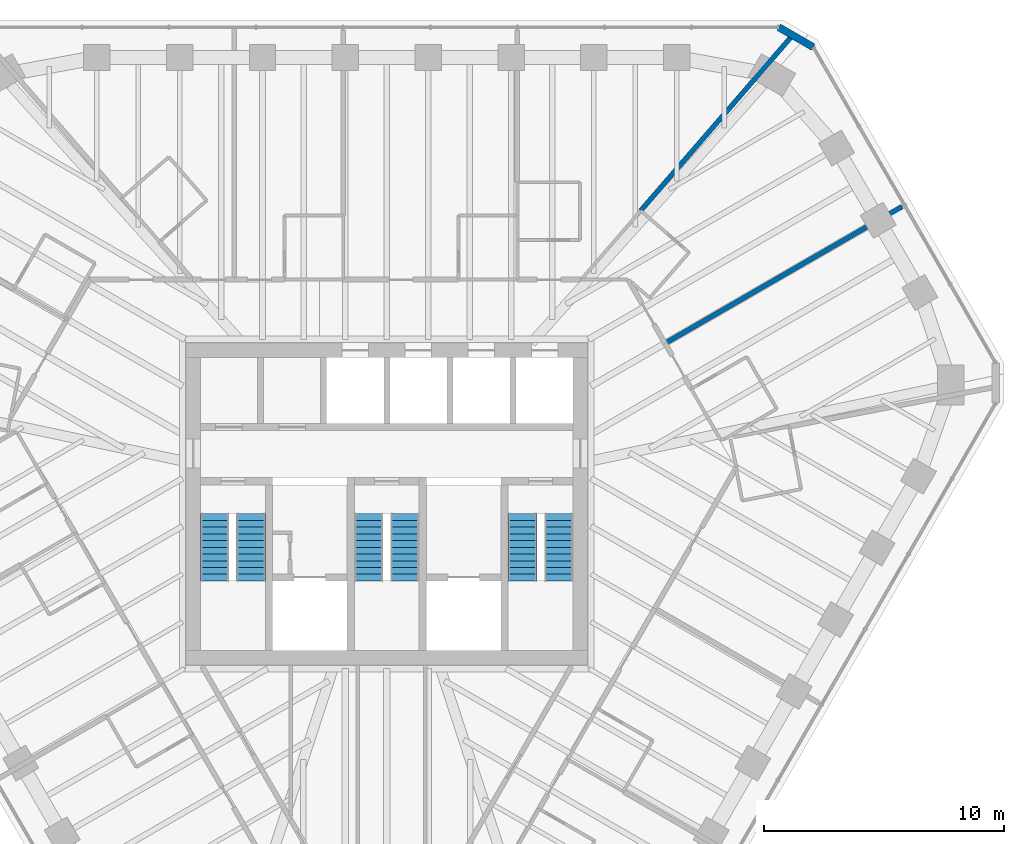
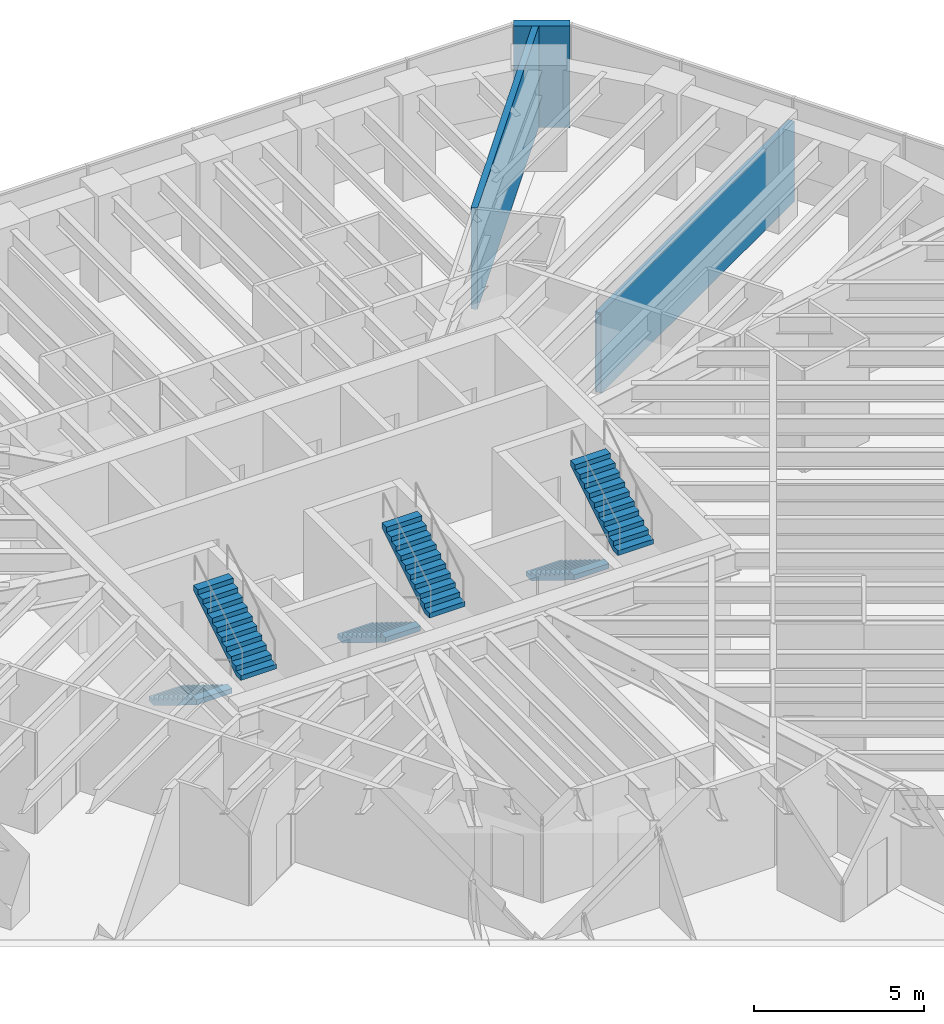
# One storey, part 13 of 14: 6 stair flights, 3 walls, 3 elements without a shape of their own.
"""IFC4 building model written with IfcOpenShell, lengths in metres."""

from ifc_helpers import new_model, si_unit, direction, frame, frame_2d, origin, place, context, subcontext, project, spatial, polyline, rectangle, outline, extrude, material, layer, layer_set, type_object, element, aggregate, save


model = new_model("IFC4")

# Units and contexts
model_context = context("Model", 3, precision=1e-05, world=origin(), true_north=direction((0.0, 1.0)))
body_context = subcontext(model_context, "Body", "Model", "MODEL_VIEW")
ifc_project = project(units=[si_unit("LENGTHUNIT", "METRE"), si_unit("AREAUNIT", "SQUARE_METRE"), si_unit("VOLUMEUNIT", "CUBIC_METRE"), si_unit("PLANEANGLEUNIT", "RADIAN"), si_unit("MASSUNIT", "GRAM", prefix="KILO")], contexts=[model_context])

# Site, building, storey
site_placement = place(None, origin())
site = spatial("IfcSite", under=ifc_project, at=site_placement, CompositionType="ELEMENT")
building_placement = place(site_placement, origin())
building = spatial("IfcBuilding", under=site, at=building_placement, Name="Sandreach Pilgrim Tower", CompositionType="ELEMENT")
storey_placement = place(building_placement, frame((0.0, 0.0, 287.39990234375)))
storey = spatial("IfcBuildingStorey", under=building, at=storey_placement, Name="L72", CompositionType="ELEMENT", Elevation=287.39990234375)

# Walls
ifc_material_1 = material(Name="Double steel stud acoustic wall, gypsum board", Category="steel")
ifc_layer_1 = layer(ifc_material_1, 0.199951171875)
ifc_layer_set_1 = layer_set([ifc_layer_1], Name="Party wall 200")
wall_type_1 = type_object("IfcWallType", Name="Party wall 200", PredefinedType="PARTITIONING", material=ifc_layer_set_1)
wall_1_placement = place(storey_placement, frame((10.56005859375, 12.199951171875, 0.0), z_axis=(0.0, 0.0, 1.0), x_axis=(0.654769010763, 0.7558290432, 0.0)))
element("IfcWall", 1, at=wall_1_placement, inside=storey, type_object=wall_type_1, Name="Party wall L72-100", PredefinedType="PARTITIONING", context=body_context, shape_type="SweptSolid", body=[
    extrude(rectangle(XDim=9.66796875, YDim=0.199951171875, at=frame_2d((4.833984375, 0.0))), origin(), (0.0, 0.0, 1.0), 3.64013671875),
])
wall_2_placement = place(storey_placement, frame((21.426025390625, 12.3701171875, 0.0), z_axis=(0.0, 0.0, 1.0), x_axis=(-0.866034991525, -0.499983393178, 0.0)))
element("IfcWall", 2, at=wall_2_placement, inside=storey, type_object=wall_type_1, Name="Party wall L72-119", PredefinedType="PARTITIONING", context=body_context, shape_type="SweptSolid", body=[
    extrude(rectangle(XDim=11.36572265625, YDim=0.199951171875, at=frame_2d((5.682861328125, 0.0))), origin(), (0.0, 0.0, 1.0), 2.878173828125),
])
ifc_material_2 = material(Name="Terracotta rainscreen on concrete", Category="masonry")
ifc_layer_2 = layer(ifc_material_2, 0.300048828125)
ifc_layer_set_2 = layer_set([ifc_layer_2], Name="Terracotta chamfer pier")
wall_type_2 = type_object("IfcWallType", Name="Terracotta chamfer pier", PredefinedType="SOLIDWALL", material=ifc_layer_set_2)
wall_3_placement = place(storey_placement, frame((16.29833984375, 19.826416015625, 0.0), z_axis=(0.0, 0.0, 1.0), x_axis=(0.866026405774, -0.499998264499, 0.0)))
element("IfcWall", 3, at=wall_3_placement, inside=storey, type_object=wall_type_2, Name="Chamfer pier L72 N", PredefinedType="SOLIDWALL", context=body_context, shape_type="SweptSolid", body=[
    extrude(rectangle(XDim=1.66015625, YDim=0.300048828125, at=frame_2d((0.830078125, 0.0))), origin(), (0.0, 0.0, 1.0), 3.64013671875),
])

# Stair, stair flights
ifc_material_3 = material(Name="Concrete 8000 psi", Category="concrete")
stair_type = type_object("IfcStairType", Name="Core exit stair", PredefinedType="HALF_TURN_STAIR", material=ifc_material_3)
stair_1_placement = place(storey_placement, origin())
stair_1 = element("IfcStair", 4, at=stair_1_placement, inside=storey, type_object=stair_type, Name="Exit stair ST1 L72", PredefinedType="HALF_TURN_STAIR")
ifc_material_4 = material(Name="Concrete 8000 psi", Category="concrete")
stair_flight_type = type_object("IfcStairFlightType", Name="Core stair flight 1200", PredefinedType="STRAIGHT", material=ifc_material_4)
stair_flight_1_placement = place(storey_placement, frame((-7.14990234375, -0.39990234375, 0.0), z_axis=(0.0, 0.0, 1.0), x_axis=(0.0, -1.0, 0.0)))
stair_flight_1 = element("IfcStairFlight", 5, at=stair_flight_1_placement, type_object=stair_flight_type, Name="ST1 flight 1", NumberOfRisers=11, NumberOfTreads=10, PredefinedType="STRAIGHT", RiserHeight=0.172727273, TreadLength=0.28, context=body_context, shape_type="SweptSolid", body=[
    extrude(outline(polyline([(0.0, 0.0), (0.0, 0.172607421875), (0.280029296875, 0.172607421875), (0.280029296875, 0.345458984375), (0.56005859375, 0.345458984375), (0.56005859375, 0.51806640625), (0.840087890625, 0.51806640625), (0.840087890625, 0.69091796875), (1.1201171875, 0.69091796875), (1.1201171875, 0.863525390625), (1.39990234375, 0.863525390625), (1.39990234375, 1.036376953125), (1.679931640625, 1.036376953125), (1.679931640625, 1.208984375), (1.9599609375, 1.208984375), (1.9599609375, 1.3818359375), (2.239990234375, 1.3818359375), (2.239990234375, 1.554443359375), (2.52001953125, 1.554443359375), (2.52001953125, 1.727294921875), (2.800048828125, 1.727294921875), (2.800048828125, 1.89990234375), (2.800048828125, 1.551025390625), (0.285400390625, 0.0), (0.0, 0.0)])), frame((0.0, 0.60009765625, 0.0), z_axis=(0.0, -1.0, 0.0), x_axis=(1.0, 0.0, 0.0)), (0.0, 0.0, 1.0), 1.199951171875),
])
stair_flight_2_placement = place(storey_placement, frame((-5.64990234375, -3.199951171875, 1.900146484375), z_axis=(0.0, 0.0, 1.0), x_axis=(0.0, 1.0, 0.0)))
stair_flight_2 = element("IfcStairFlight", 6, at=stair_flight_2_placement, type_object=stair_flight_type, Name="ST1 flight 2", NumberOfRisers=11, NumberOfTreads=10, PredefinedType="STRAIGHT", RiserHeight=0.172727273, TreadLength=0.28, context=body_context, shape_type="SweptSolid", body=[
    extrude(outline(polyline([(0.0, 0.0), (0.0, 0.172607421875), (0.280029296875, 0.172607421875), (0.280029296875, 0.345458984375), (0.56005859375, 0.345458984375), (0.56005859375, 0.51806640625), (0.840087890625, 0.51806640625), (0.840087890625, 0.69091796875), (1.1201171875, 0.69091796875), (1.1201171875, 0.863525390625), (1.39990234375, 0.863525390625), (1.39990234375, 1.036376953125), (1.679931640625, 1.036376953125), (1.679931640625, 1.208984375), (1.9599609375, 1.208984375), (1.9599609375, 1.3818359375), (2.239990234375, 1.3818359375), (2.239990234375, 1.554443359375), (2.52001953125, 1.554443359375), (2.52001953125, 1.727294921875), (2.800048828125, 1.727294921875), (2.800048828125, 1.89990234375), (2.800048828125, 1.551025390625), (0.285400390625, 0.0), (0.0, 0.0)])), frame((0.0, 0.60009765625, 0.0), z_axis=(0.0, -1.0, 0.0), x_axis=(1.0, 0.0, 0.0)), (0.0, 0.0, 1.0), 1.199951171875),
])
aggregate(stair_1, [stair_flight_1, stair_flight_2])

stair_2_placement = place(storey_placement, origin())
stair_2 = element("IfcStair", 7, at=stair_2_placement, inside=storey, type_object=stair_type, Name="Exit stair ST3 L72", PredefinedType="HALF_TURN_STAIR")
stair_flight_3_placement = place(storey_placement, frame((-0.75, -0.39990234375, 0.0), z_axis=(0.0, 0.0, 1.0), x_axis=(0.0, -1.0, 0.0)))
stair_flight_3 = element("IfcStairFlight", 8, at=stair_flight_3_placement, type_object=stair_flight_type, Name="ST3 flight 1", NumberOfRisers=11, NumberOfTreads=10, PredefinedType="STRAIGHT", RiserHeight=0.172727273, TreadLength=0.28, context=body_context, shape_type="SweptSolid", body=[
    extrude(outline(polyline([(0.0, 0.0), (0.0, 0.172607421875), (0.280029296875, 0.172607421875), (0.280029296875, 0.345458984375), (0.56005859375, 0.345458984375), (0.56005859375, 0.51806640625), (0.840087890625, 0.51806640625), (0.840087890625, 0.69091796875), (1.1201171875, 0.69091796875), (1.1201171875, 0.863525390625), (1.39990234375, 0.863525390625), (1.39990234375, 1.036376953125), (1.679931640625, 1.036376953125), (1.679931640625, 1.208984375), (1.9599609375, 1.208984375), (1.9599609375, 1.3818359375), (2.239990234375, 1.3818359375), (2.239990234375, 1.554443359375), (2.52001953125, 1.554443359375), (2.52001953125, 1.727294921875), (2.800048828125, 1.727294921875), (2.800048828125, 1.89990234375), (2.800048828125, 1.551025390625), (0.285400390625, 0.0), (0.0, 0.0)])), frame((0.0, 0.60009765625, 0.0), z_axis=(0.0, -1.0, 0.0), x_axis=(1.0, 0.0, 0.0)), (0.0, 0.0, 1.0), 1.199951171875),
])
stair_flight_4_placement = place(storey_placement, frame((0.75, -3.199951171875, 1.900146484375), z_axis=(0.0, 0.0, 1.0), x_axis=(0.0, 1.0, 0.0)))
stair_flight_4 = element("IfcStairFlight", 9, at=stair_flight_4_placement, type_object=stair_flight_type, Name="ST3 flight 2", NumberOfRisers=11, NumberOfTreads=10, PredefinedType="STRAIGHT", RiserHeight=0.172727273, TreadLength=0.28, context=body_context, shape_type="SweptSolid", body=[
    extrude(outline(polyline([(0.0, 0.0), (0.0, 0.172607421875), (0.280029296875, 0.172607421875), (0.280029296875, 0.345458984375), (0.56005859375, 0.345458984375), (0.56005859375, 0.51806640625), (0.840087890625, 0.51806640625), (0.840087890625, 0.69091796875), (1.1201171875, 0.69091796875), (1.1201171875, 0.863525390625), (1.39990234375, 0.863525390625), (1.39990234375, 1.036376953125), (1.679931640625, 1.036376953125), (1.679931640625, 1.208984375), (1.9599609375, 1.208984375), (1.9599609375, 1.3818359375), (2.239990234375, 1.3818359375), (2.239990234375, 1.554443359375), (2.52001953125, 1.554443359375), (2.52001953125, 1.727294921875), (2.800048828125, 1.727294921875), (2.800048828125, 1.89990234375), (2.800048828125, 1.551025390625), (0.285400390625, 0.0), (0.0, 0.0)])), frame((0.0, 0.60009765625, 0.0), z_axis=(0.0, -1.0, 0.0), x_axis=(1.0, 0.0, 0.0)), (0.0, 0.0, 1.0), 1.199951171875),
])
aggregate(stair_2, [stair_flight_3, stair_flight_4])

stair_3_placement = place(storey_placement, origin())
stair_3 = element("IfcStair", 10, at=stair_3_placement, inside=storey, type_object=stair_type, Name="Exit stair ST2 L72", PredefinedType="HALF_TURN_STAIR")
stair_flight_5_placement = place(storey_placement, frame((5.64990234375, -0.39990234375, 0.0), z_axis=(0.0, 0.0, 1.0), x_axis=(0.0, -1.0, 0.0)))
stair_flight_5 = element("IfcStairFlight", 11, at=stair_flight_5_placement, type_object=stair_flight_type, Name="ST2 flight 1", NumberOfRisers=11, NumberOfTreads=10, PredefinedType="STRAIGHT", RiserHeight=0.172727273, TreadLength=0.28, context=body_context, shape_type="SweptSolid", body=[
    extrude(outline(polyline([(0.0, 0.0), (0.0, 0.172607421875), (0.280029296875, 0.172607421875), (0.280029296875, 0.345458984375), (0.56005859375, 0.345458984375), (0.56005859375, 0.51806640625), (0.840087890625, 0.51806640625), (0.840087890625, 0.69091796875), (1.1201171875, 0.69091796875), (1.1201171875, 0.863525390625), (1.39990234375, 0.863525390625), (1.39990234375, 1.036376953125), (1.679931640625, 1.036376953125), (1.679931640625, 1.208984375), (1.9599609375, 1.208984375), (1.9599609375, 1.3818359375), (2.239990234375, 1.3818359375), (2.239990234375, 1.554443359375), (2.52001953125, 1.554443359375), (2.52001953125, 1.727294921875), (2.800048828125, 1.727294921875), (2.800048828125, 1.89990234375), (2.800048828125, 1.551025390625), (0.285400390625, 0.0), (0.0, 0.0)])), frame((0.0, 0.60009765625, 0.0), z_axis=(0.0, -1.0, 0.0), x_axis=(1.0, 0.0, 0.0)), (0.0, 0.0, 1.0), 1.199951171875),
])
stair_flight_6_placement = place(storey_placement, frame((7.14990234375, -3.199951171875, 1.900146484375), z_axis=(0.0, 0.0, 1.0), x_axis=(0.0, 1.0, 0.0)))
stair_flight_6 = element("IfcStairFlight", 12, at=stair_flight_6_placement, type_object=stair_flight_type, Name="ST2 flight 2", NumberOfRisers=11, NumberOfTreads=10, PredefinedType="STRAIGHT", RiserHeight=0.172727273, TreadLength=0.28, context=body_context, shape_type="SweptSolid", body=[
    extrude(outline(polyline([(0.0, 0.0), (0.0, 0.172607421875), (0.280029296875, 0.172607421875), (0.280029296875, 0.345458984375), (0.56005859375, 0.345458984375), (0.56005859375, 0.51806640625), (0.840087890625, 0.51806640625), (0.840087890625, 0.69091796875), (1.1201171875, 0.69091796875), (1.1201171875, 0.863525390625), (1.39990234375, 0.863525390625), (1.39990234375, 1.036376953125), (1.679931640625, 1.036376953125), (1.679931640625, 1.208984375), (1.9599609375, 1.208984375), (1.9599609375, 1.3818359375), (2.239990234375, 1.3818359375), (2.239990234375, 1.554443359375), (2.52001953125, 1.554443359375), (2.52001953125, 1.727294921875), (2.800048828125, 1.727294921875), (2.800048828125, 1.89990234375), (2.800048828125, 1.551025390625), (0.285400390625, 0.0), (0.0, 0.0)])), frame((0.0, 0.60009765625, 0.0), z_axis=(0.0, -1.0, 0.0), x_axis=(1.0, 0.0, 0.0)), (0.0, 0.0, 1.0), 1.199951171875),
])
aggregate(stair_3, [stair_flight_5, stair_flight_6])

save(model, "model.ifc")
